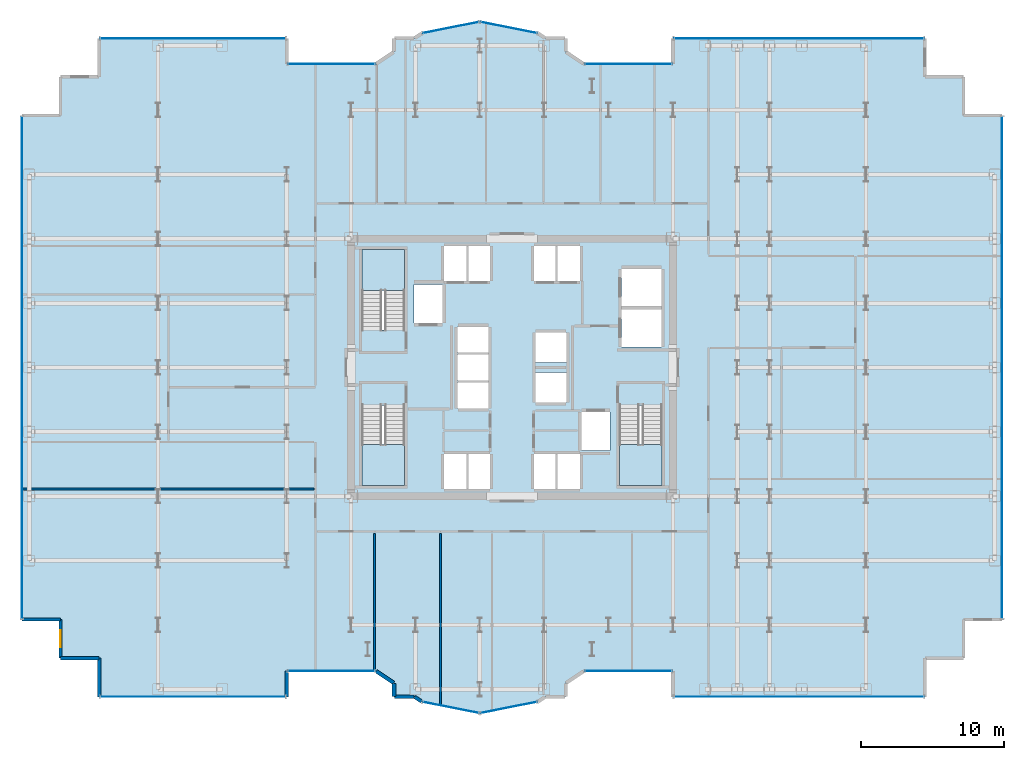
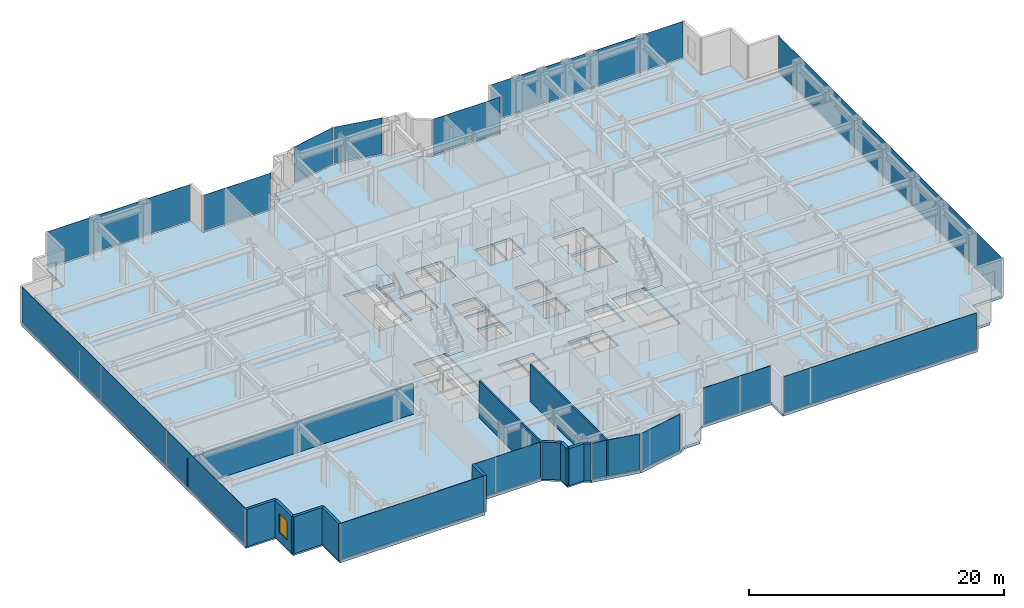
# One storey, part 19 of 26: 14 plates, 12 walls, 4 slabs, 1 window, 1 opening, 17 elements without a shape of their own.
"""IFC4 building model written with IfcOpenShell, lengths in metres."""

from ifc_helpers import new_model, si_unit, direction, frame, frame_2d, origin, origin_2d, place, context, subcontext, project, spatial, polyline, rectangle, outline, extrude, source, transform, mapped, material, layer, layer_set, type_object, element, fill, aggregate, save


model = new_model("IFC4")

# Units and contexts
model_context = context("Model", 3, precision=1e-05, world=origin(), true_north=direction((0.0, 1.0)))
body_context = subcontext(model_context, "Body", "Model", "MODEL_VIEW")
ifc_project = project(units=[si_unit("LENGTHUNIT", "METRE"), si_unit("AREAUNIT", "SQUARE_METRE"), si_unit("VOLUMEUNIT", "CUBIC_METRE"), si_unit("PLANEANGLEUNIT", "RADIAN"), si_unit("MASSUNIT", "GRAM", prefix="KILO")], contexts=[model_context])

# Site, building, storey
site_placement = place(None, origin())
site = spatial("IfcSite", under=ifc_project, at=site_placement, CompositionType="ELEMENT")
building_placement = place(site_placement, origin())
building = spatial("IfcBuilding", under=site, at=building_placement, Name="Nefas-Gora Pilgrimage Tower", CompositionType="ELEMENT")
storey_placement = place(building_placement, frame((0.0, 0.0, 121.199951171875)))
storey = spatial("IfcBuildingStorey", under=building, at=storey_placement, Name="L29", CompositionType="ELEMENT", Elevation=121.199951171875)

# Slab
ifc_material_1 = material(Name="Concrete C40/50", Category="concrete")
ifc_layer_1 = layer(ifc_material_1, 0.25)
ifc_layer_set_1 = layer_set([ifc_layer_1], Name="Concrete C40/50")
slab_type_1 = type_object("IfcSlabType", Name="SLB-TWR-250", PredefinedType="FLOOR", material=ifc_layer_set_1)
slab_1_placement = place(storey_placement, frame((0.0, 0.0, -0.25)))
element("IfcSlab", 1, at=slab_1_placement, inside=storey, type_object=slab_type_1, Name="L29 Structural Floor Slab", PredefinedType="FLOOR", context=body_context, shape_type="SweptSolid", body=[
    extrude(outline(polyline([(5.01806640625, -21.219970703125), (11.25, -21.219970703125), (11.25, -23.02001953125), (28.8701171875, -23.02001953125), (28.8701171875, -20.320068359375), (31.570068359375, -20.320068359375), (31.570068359375, -17.6201171875), (34.27001953125, -17.6201171875), (34.27001953125, 17.6201171875), (31.570068359375, 17.6201171875), (31.570068359375, 20.320068359375), (28.8701171875, 20.320068359375), (28.8701171875, 23.02001953125), (11.25, 23.02001953125), (11.25, 21.219970703125), (5.01806640625, 21.219970703125), (3.75, 22.0673828125), (3.75, 23.02001953125), (2.32421875, 23.02001953125), (1.807373046875, 23.365234375), (-2.25, 24.17236328125), (-6.307373046875, 23.365234375), (-6.82421875, 23.02001953125), (-8.25, 23.02001953125), (-8.25, 22.0673828125), (-9.51806640625, 21.219970703125), (-15.75, 21.219970703125), (-15.75, 23.02001953125), (-28.8701171875, 23.02001953125), (-28.8701171875, 20.320068359375), (-31.570068359375, 20.320068359375), (-31.570068359375, 17.6201171875), (-34.27001953125, 17.6201171875), (-34.27001953125, -17.6201171875), (-31.570068359375, -17.6201171875), (-31.570068359375, -20.320068359375), (-28.8701171875, -20.320068359375), (-28.8701171875, -23.02001953125), (-15.75, -23.02001953125), (-15.75, -21.219970703125), (-9.51806640625, -21.219970703125), (-8.25, -22.0673828125), (-8.25, -23.02001953125), (-6.82421875, -23.02001953125), (-6.307373046875, -23.365234375), (-2.25, -24.17236328125), (1.807373046875, -23.365234375), (2.32421875, -23.02001953125), (3.75, -23.02001953125), (3.75, -22.0673828125), (5.01806640625, -21.219970703125)]), holes=[polyline([(-10.5, 2.639892578125), (-10.5, 8.25), (-7.5, 8.25), (-7.5, 2.639892578125), (-10.5, 2.639892578125)]), polyline([(10.5, -2.639892578125), (10.5, -8.25), (7.5, -8.25), (7.5, -2.639892578125), (10.5, -2.639892578125)]), polyline([(-7.5, -2.639892578125), (-7.5, -8.25), (-10.5, -8.25), (-10.5, -2.639892578125), (-7.5, -2.639892578125)]), polyline([(-6.85009765625, 5.800048828125), (-4.85009765625, 5.800048828125), (-4.85009765625, 3.10009765625), (-6.85009765625, 3.10009765625), (-6.85009765625, 5.800048828125)]), polyline([(4.85009765625, -3.10009765625), (6.85009765625, -3.10009765625), (6.85009765625, -5.800048828125), (4.85009765625, -5.800048828125), (4.85009765625, -3.10009765625)]), polyline([(7.64990234375, 4.050048828125), (10.449951171875, 4.050048828125), (10.449951171875, 1.449951171875), (7.64990234375, 1.449951171875), (7.64990234375, 4.050048828125)]), polyline([(7.64990234375, 6.89990234375), (10.449951171875, 6.89990234375), (10.449951171875, 4.300048828125), (7.64990234375, 4.300048828125), (7.64990234375, 6.89990234375)]), polyline([(-4.75, 8.5), (-3.14990234375, 8.5), (-3.14990234375, 6.050048828125), (-4.75, 6.050048828125), (-4.75, 8.5)]), polyline([(-3.10009765625, 8.5), (-1.550048828125, 8.5), (-1.550048828125, 6.050048828125), (-3.10009765625, 6.050048828125), (-3.10009765625, 8.5)]), polyline([(1.550048828125, 8.5), (3.10009765625, 8.5), (3.10009765625, 6.050048828125), (1.550048828125, 6.050048828125), (1.550048828125, 8.5)]), polyline([(3.14990234375, 8.5), (4.75, 8.5), (4.75, 6.050048828125), (3.14990234375, 6.050048828125), (3.14990234375, 8.5)]), polyline([(-4.75, -6.050048828125), (-3.14990234375, -6.050048828125), (-3.14990234375, -8.5), (-4.75, -8.5), (-4.75, -6.050048828125)]), polyline([(-3.10009765625, -6.050048828125), (-1.550048828125, -6.050048828125), (-1.550048828125, -8.5), (-3.10009765625, -8.5), (-3.10009765625, -6.050048828125)]), polyline([(1.550048828125, -6.050048828125), (3.10009765625, -6.050048828125), (3.10009765625, -8.5), (1.550048828125, -8.5), (1.550048828125, -6.050048828125)]), polyline([(3.14990234375, -6.050048828125), (4.75, -6.050048828125), (4.75, -8.5), (3.14990234375, -8.5), (3.14990234375, -6.050048828125)]), polyline([(-3.800048828125, -1.050048828125), (-1.64990234375, -1.050048828125), (-1.64990234375, -2.85009765625), (-3.800048828125, -2.85009765625), (-3.800048828125, -1.050048828125)]), polyline([(-3.800048828125, 0.89990234375), (-1.64990234375, 0.89990234375), (-1.64990234375, -0.89990234375), (-3.800048828125, -0.89990234375), (-3.800048828125, 0.89990234375)]), polyline([(-3.800048828125, 2.85009765625), (-1.64990234375, 2.85009765625), (-1.64990234375, 1.050048828125), (-3.800048828125, 1.050048828125), (-3.800048828125, 2.85009765625)]), polyline([(1.64990234375, -0.35009765625), (3.800048828125, -0.35009765625), (3.800048828125, -2.449951171875), (1.64990234375, -2.449951171875), (1.64990234375, -0.35009765625)]), polyline([(1.64990234375, 2.449951171875), (3.800048828125, 2.449951171875), (3.800048828125, 0.35009765625), (1.64990234375, 0.35009765625), (1.64990234375, 2.449951171875)])]), origin(), (0.0, 0.0, 1.0), 0.25),
])

# Stair, slab
ifc_material_2 = material(Name="Concrete C45/55", Category="concrete")
stair_type = type_object("IfcStairType", Name="STR-1400-R1727", PredefinedType="HALF_TURN_STAIR", material=ifc_material_2)
stair_1_placement = place(storey_placement, origin())
stair_1 = element("IfcStair", 2, at=stair_1_placement, inside=storey, type_object=stair_type, Name="L29 Pressurised Tower Exit Stair ST-01", PredefinedType="HALF_TURN_STAIR")
ifc_layer_2 = layer(ifc_material_1, 0.199951171875)
ifc_layer_set_2 = layer_set([ifc_layer_2], Name="Concrete C40/50")
slab_type_2 = type_object("IfcSlabType", Name="STR-LAND-200", PredefinedType="LANDING", material=ifc_layer_set_2)
slab_2_placement = place(storey_placement, frame((0.0, 0.0, 1.699951171875)))
slab_2 = element("IfcSlab", 3, at=slab_2_placement, type_object=slab_type_2, Name="ST-01 landing 1", PredefinedType="LANDING", context=body_context, shape_type="SweptSolid", body=[
    extrude(outline(polyline([(-7.5, 5.39990234375), (-7.5, 8.25), (-10.5, 8.25), (-10.5, 5.39990234375), (-7.5, 5.39990234375)])), origin(), (0.0, 0.0, 1.0), 0.2001953125),
])
aggregate(stair_1, [slab_2])

stair_2_placement = place(storey_placement, origin())
stair_2 = element("IfcStair", 4, at=stair_2_placement, inside=storey, type_object=stair_type, Name="L29 Pressurised Tower Exit Stair ST-02", PredefinedType="HALF_TURN_STAIR")
slab_3_placement = place(storey_placement, frame((0.0, 0.0, 1.699951171875)))
slab_3 = element("IfcSlab", 5, at=slab_3_placement, type_object=slab_type_2, Name="ST-02 landing 1", PredefinedType="LANDING", context=body_context, shape_type="SweptSolid", body=[
    extrude(outline(polyline([(7.5, -5.39990234375), (7.5, -8.25), (10.5, -8.25), (10.5, -5.39990234375), (7.5, -5.39990234375)])), origin(), (0.0, 0.0, 1.0), 0.2001953125),
])
aggregate(stair_2, [slab_3])

stair_3_placement = place(storey_placement, origin())
stair_3 = element("IfcStair", 6, at=stair_3_placement, inside=storey, type_object=stair_type, Name="L29 Pressurised Tower Exit Stair ST-03", PredefinedType="HALF_TURN_STAIR")
slab_4_placement = place(storey_placement, frame((0.0, 0.0, 1.699951171875)))
slab_4 = element("IfcSlab", 7, at=slab_4_placement, type_object=slab_type_2, Name="ST-03 landing 1", PredefinedType="LANDING", context=body_context, shape_type="SweptSolid", body=[
    extrude(outline(polyline([(-10.5, -5.39990234375), (-10.5, -8.25), (-7.5, -8.25), (-7.5, -5.39990234375), (-10.5, -5.39990234375)])), origin(), (0.0, 0.0, 1.0), 0.2001953125),
])
aggregate(stair_3, [slab_4])

# Curtain wall, plate
ifc_material_3 = material(Name="Dark ceramic-fritted solar-control aluminium-glass curtain wall", Category="aluminium")
ifc_layer_3 = layer(ifc_material_3, 0.219970703125)
ifc_layer_set_3 = layer_set([ifc_layer_3], Name="Dark ceramic-fritted solar-control aluminium-glass curtain wall")
curtain_wall_type_1 = type_object("IfcCurtainWallType", Name="CW-SYS-5", PredefinedType="NOTDEFINED", material=ifc_layer_set_3)
curtain_wall_1_placement = place(storey_placement, origin())
curtain_wall_1 = element("IfcCurtainWall", 8, at=curtain_wall_1_placement, inside=storey, type_object=curtain_wall_type_1, Name="L29 Unitised Curtain Wall CW5", PredefinedType="NOTDEFINED")
ifc_material_4 = material(Name="Dark ceramic-printed low-e insulated glass", Category="glass")
ifc_layer_4 = layer(ifc_material_4, 0.028076171875)
ifc_layer_set_4 = layer_set([ifc_layer_4], Name="Dark ceramic-printed low-e insulated glass")
plate_type_1 = type_object("IfcPlateType", Name="CWP-PNL-5", PredefinedType="CURTAIN_PANEL", material=ifc_layer_set_4)
shared_shape_1 = source(origin(), body_context, "Body", "SweptSolid", [
    extrude(rectangle(XDim=6.052001953125, YDim=0.028076171875, at=origin_2d()), origin(), (0.0, 0.0, 1.0), 3.43994140625),
])
plate_1_placement = place(storey_placement, frame((8.134033203125, -21.219970703125, 0.10009765625), z_axis=(0.0, 0.0, 1.0), x_axis=(1.0, 0.0, 0.0)))
plate_1 = element("IfcPlate", 9, at=plate_1_placement, type_object=plate_type_1, Name="CW5 Ceramic-Fritted Glazing Panel 1", PredefinedType="CURTAIN_PANEL", context=body_context, shape_type="MappedRepresentation", body=[
    mapped(shared_shape_1, transform((0.0, 0.0, 0.0), x_axis=(1.0, 0.0, 0.0), y_axis=(0.0, 1.0, 0.0), z_axis=(0.0, 0.0, 1.0), scale=1.0)),
])
aggregate(curtain_wall_1, [plate_1])

curtain_wall_2_placement = place(storey_placement, origin())
curtain_wall_2 = element("IfcCurtainWall", 10, at=curtain_wall_2_placement, inside=storey, type_object=curtain_wall_type_1, Name="L29 Unitised Curtain Wall CW5", PredefinedType="NOTDEFINED")
plate_2_placement = place(storey_placement, frame((8.134033203125, 21.219970703125, 0.10009765625), z_axis=(0.0, 0.0, 1.0), x_axis=(-1.0, 0.0, 0.0)))
plate_2 = element("IfcPlate", 11, at=plate_2_placement, type_object=plate_type_1, Name="CW5 Ceramic-Fritted Glazing Panel 1", PredefinedType="CURTAIN_PANEL", context=body_context, shape_type="MappedRepresentation", body=[
    mapped(shared_shape_1, transform((0.0, 0.0, 0.0), x_axis=(1.0, 0.0, 0.0), y_axis=(0.0, 1.0, 0.0), z_axis=(0.0, 0.0, 1.0), scale=1.0)),
])
aggregate(curtain_wall_2, [plate_2])

curtain_wall_3_placement = place(storey_placement, origin())
curtain_wall_3 = element("IfcCurtainWall", 12, at=curtain_wall_3_placement, inside=storey, type_object=curtain_wall_type_1, Name="L29 Unitised Curtain Wall CW5", PredefinedType="NOTDEFINED")
plate_3_placement = place(storey_placement, frame((-12.634033203125, 21.219970703125, 0.10009765625), z_axis=(0.0, 0.0, 1.0), x_axis=(-1.0, 0.0, 0.0)))
plate_3 = element("IfcPlate", 13, at=plate_3_placement, type_object=plate_type_1, Name="CW5 Ceramic-Fritted Glazing Panel 1", PredefinedType="CURTAIN_PANEL", context=body_context, shape_type="MappedRepresentation", body=[
    mapped(shared_shape_1, transform((0.0, 0.0, 0.0), x_axis=(1.0, 0.0, 0.0), y_axis=(0.0, 1.0, 0.0), z_axis=(0.0, 0.0, 1.0), scale=1.0)),
])
aggregate(curtain_wall_3, [plate_3])

curtain_wall_4_placement = place(storey_placement, origin())
curtain_wall_4 = element("IfcCurtainWall", 14, at=curtain_wall_4_placement, inside=storey, type_object=curtain_wall_type_1, Name="L29 Unitised Curtain Wall CW5", PredefinedType="NOTDEFINED")
plate_4_placement = place(storey_placement, frame((-12.634033203125, -21.219970703125, 0.10009765625), z_axis=(0.0, 0.0, 1.0), x_axis=(1.0, 0.0, 0.0)))
plate_4 = element("IfcPlate", 15, at=plate_4_placement, type_object=plate_type_1, Name="CW5 Ceramic-Fritted Glazing Panel 1", PredefinedType="CURTAIN_PANEL", context=body_context, shape_type="MappedRepresentation", body=[
    mapped(shared_shape_1, transform((0.0, 0.0, 0.0), x_axis=(1.0, 0.0, 0.0), y_axis=(0.0, 1.0, 0.0), z_axis=(0.0, 0.0, 1.0), scale=1.0)),
])
aggregate(curtain_wall_4, [plate_4])

ifc_layer_5 = layer(ifc_material_3, 0.219970703125)
ifc_layer_set_5 = layer_set([ifc_layer_5], Name="Dark ceramic-fritted solar-control aluminium-glass curtain wall")
curtain_wall_type_2 = type_object("IfcCurtainWallType", Name="CW-SYS-2", PredefinedType="NOTDEFINED", material=ifc_layer_set_5)
curtain_wall_5_placement = place(storey_placement, origin())
curtain_wall_5 = element("IfcCurtainWall", 16, at=curtain_wall_5_placement, inside=storey, type_object=curtain_wall_type_2, Name="L29 Unitised Curtain Wall CW2", PredefinedType="NOTDEFINED")
ifc_layer_6 = layer(ifc_material_4, 0.031982421875)
ifc_layer_set_6 = layer_set([ifc_layer_6], Name="Dark ceramic-printed low-e insulated glass")
plate_type_2 = type_object("IfcPlateType", Name="CWP-PNL-2", PredefinedType="CURTAIN_PANEL", material=ifc_layer_set_6)
shared_shape_2 = source(origin(), body_context, "Body", "SweptSolid", [
    extrude(rectangle(XDim=17.43994140625, YDim=0.031982421875, at=origin_2d()), origin(), (0.0, 0.0, 1.0), 3.43994140625),
])
plate_5_placement = place(storey_placement, frame((20.06005859375, -23.02001953125, 0.10009765625), z_axis=(0.0, 0.0, 1.0), x_axis=(1.0, 0.0, 0.0)))
plate_5 = element("IfcPlate", 17, at=plate_5_placement, type_object=plate_type_2, Name="CW2 Ceramic-Fritted Glazing Panel 1", PredefinedType="CURTAIN_PANEL", context=body_context, shape_type="MappedRepresentation", body=[
    mapped(shared_shape_2, transform((0.0, 0.0, 0.0), x_axis=(1.0, 0.0, 0.0), y_axis=(0.0, 1.0, 0.0), z_axis=(0.0, 0.0, 1.0), scale=1.0)),
])
aggregate(curtain_wall_5, [plate_5])

curtain_wall_6_placement = place(storey_placement, origin())
curtain_wall_6 = element("IfcCurtainWall", 18, at=curtain_wall_6_placement, inside=storey, type_object=curtain_wall_type_2, Name="L29 Unitised Curtain Wall CW2", PredefinedType="NOTDEFINED")
plate_6_placement = place(storey_placement, frame((20.06005859375, 23.02001953125, 0.10009765625), z_axis=(0.0, 0.0, 1.0), x_axis=(-1.0, 0.0, 0.0)))
plate_6 = element("IfcPlate", 19, at=plate_6_placement, type_object=plate_type_2, Name="CW2 Ceramic-Fritted Glazing Panel 1", PredefinedType="CURTAIN_PANEL", context=body_context, shape_type="MappedRepresentation", body=[
    mapped(shared_shape_2, transform((0.0, 0.0, 0.0), x_axis=(1.0, 0.0, 0.0), y_axis=(0.0, 1.0, 0.0), z_axis=(0.0, 0.0, 1.0), scale=1.0)),
])
aggregate(curtain_wall_6, [plate_6])

curtain_wall_7_placement = place(storey_placement, origin())
curtain_wall_7 = element("IfcCurtainWall", 20, at=curtain_wall_7_placement, inside=storey, type_object=curtain_wall_type_1, Name="L29 Unitised Curtain Wall CW5", PredefinedType="NOTDEFINED")
shared_shape_3 = source(origin(), body_context, "Body", "SweptSolid", [
    extrude(rectangle(XDim=3.956787109375, YDim=0.028076171875, at=origin_2d()), origin(), (0.0, 0.0, 1.0), 3.43994140625),
])
plate_7_placement = place(storey_placement, frame((-0.22119140625, 23.768798828125, 0.10009765625), z_axis=(0.0, 0.0, 1.0), x_axis=(-0.980782896852, 0.195102304554, 0.0)))
plate_7 = element("IfcPlate", 21, at=plate_7_placement, type_object=plate_type_1, Name="CW5 Ceramic-Fritted Glazing Panel 1", PredefinedType="CURTAIN_PANEL", context=body_context, shape_type="MappedRepresentation", body=[
    mapped(shared_shape_3, transform((0.0, 0.0, 0.0), x_axis=(1.0, 0.0, 0.0), y_axis=(0.0, 1.0, 0.0), z_axis=(0.0, 0.0, 1.0), scale=1.0)),
])
aggregate(curtain_wall_7, [plate_7])

curtain_wall_8_placement = place(storey_placement, origin())
curtain_wall_8 = element("IfcCurtainWall", 22, at=curtain_wall_8_placement, inside=storey, type_object=curtain_wall_type_1, Name="L29 Unitised Curtain Wall CW5", PredefinedType="NOTDEFINED")
plate_8_placement = place(storey_placement, frame((-4.278564453125, 23.768798828125, 0.10009765625), z_axis=(0.0, 0.0, 1.0), x_axis=(-0.980782896852, -0.195102304554, 0.0)))
plate_8 = element("IfcPlate", 23, at=plate_8_placement, type_object=plate_type_1, Name="CW5 Ceramic-Fritted Glazing Panel 1", PredefinedType="CURTAIN_PANEL", context=body_context, shape_type="MappedRepresentation", body=[
    mapped(shared_shape_3, transform((0.0, 0.0, 0.0), x_axis=(1.0, 0.0, 0.0), y_axis=(0.0, 1.0, 0.0), z_axis=(0.0, 0.0, 1.0), scale=1.0)),
])
aggregate(curtain_wall_8, [plate_8])

curtain_wall_9_placement = place(storey_placement, origin())
curtain_wall_9 = element("IfcCurtainWall", 24, at=curtain_wall_9_placement, inside=storey, type_object=curtain_wall_type_1, Name="L29 Unitised Curtain Wall CW5", PredefinedType="NOTDEFINED")
plate_9_placement = place(storey_placement, frame((-4.278564453125, -23.768798828125, 0.10009765625), z_axis=(0.0, 0.0, 1.0), x_axis=(0.980782896852, -0.195102304554, 0.0)))
plate_9 = element("IfcPlate", 25, at=plate_9_placement, type_object=plate_type_1, Name="CW5 Ceramic-Fritted Glazing Panel 1", PredefinedType="CURTAIN_PANEL", context=body_context, shape_type="MappedRepresentation", body=[
    mapped(shared_shape_3, transform((0.0, 0.0, 0.0), x_axis=(1.0, 0.0, 0.0), y_axis=(0.0, 1.0, 0.0), z_axis=(0.0, 0.0, 1.0), scale=1.0)),
])
aggregate(curtain_wall_9, [plate_9])

curtain_wall_10_placement = place(storey_placement, origin())
curtain_wall_10 = element("IfcCurtainWall", 26, at=curtain_wall_10_placement, inside=storey, type_object=curtain_wall_type_1, Name="L29 Unitised Curtain Wall CW5", PredefinedType="NOTDEFINED")
plate_10_placement = place(storey_placement, frame((-0.221435546875, -23.768798828125, 0.10009765625), z_axis=(0.0, 0.0, 1.0), x_axis=(0.980782896852, 0.195102304554, 0.0)))
plate_10 = element("IfcPlate", 27, at=plate_10_placement, type_object=plate_type_1, Name="CW5 Ceramic-Fritted Glazing Panel 1", PredefinedType="CURTAIN_PANEL", context=body_context, shape_type="MappedRepresentation", body=[
    mapped(shared_shape_3, transform((0.0, 0.0, 0.0), x_axis=(1.0, 0.0, 0.0), y_axis=(0.0, 1.0, 0.0), z_axis=(0.0, 0.0, 1.0), scale=1.0)),
])
aggregate(curtain_wall_10, [plate_10])

curtain_wall_11_placement = place(storey_placement, origin())
curtain_wall_11 = element("IfcCurtainWall", 28, at=curtain_wall_11_placement, inside=storey, type_object=curtain_wall_type_2, Name="L29 Unitised Curtain Wall CW2", PredefinedType="NOTDEFINED")
shared_shape_4 = source(origin(), body_context, "Body", "SweptSolid", [
    extrude(rectangle(XDim=12.93994140625, YDim=0.031982421875, at=origin_2d()), origin(), (0.0, 0.0, 1.0), 3.43994140625),
])
plate_11_placement = place(storey_placement, frame((-22.31005859375, 23.02001953125, 0.10009765625), z_axis=(0.0, 0.0, 1.0), x_axis=(-1.0, 0.0, 0.0)))
plate_11 = element("IfcPlate", 29, at=plate_11_placement, type_object=plate_type_2, Name="CW2 Ceramic-Fritted Glazing Panel 1", PredefinedType="CURTAIN_PANEL", context=body_context, shape_type="MappedRepresentation", body=[
    mapped(shared_shape_4, transform((0.0, 0.0, 0.0), x_axis=(1.0, 0.0, 0.0), y_axis=(0.0, 1.0, 0.0), z_axis=(0.0, 0.0, 1.0), scale=1.0)),
])
aggregate(curtain_wall_11, [plate_11])

curtain_wall_12_placement = place(storey_placement, origin())
curtain_wall_12 = element("IfcCurtainWall", 30, at=curtain_wall_12_placement, inside=storey, type_object=curtain_wall_type_2, Name="L29 Unitised Curtain Wall CW2", PredefinedType="NOTDEFINED")
plate_12_placement = place(storey_placement, frame((-22.31005859375, -23.02001953125, 0.10009765625), z_axis=(0.0, 0.0, 1.0), x_axis=(1.0, 0.0, 0.0)))
plate_12 = element("IfcPlate", 31, at=plate_12_placement, type_object=plate_type_2, Name="CW2 Ceramic-Fritted Glazing Panel 1", PredefinedType="CURTAIN_PANEL", context=body_context, shape_type="MappedRepresentation", body=[
    mapped(shared_shape_4, transform((0.0, 0.0, 0.0), x_axis=(1.0, 0.0, 0.0), y_axis=(0.0, 1.0, 0.0), z_axis=(0.0, 0.0, 1.0), scale=1.0)),
])
aggregate(curtain_wall_12, [plate_12])

curtain_wall_13_placement = place(storey_placement, origin())
curtain_wall_13 = element("IfcCurtainWall", 32, at=curtain_wall_13_placement, inside=storey, type_object=curtain_wall_type_2, Name="L29 Unitised Curtain Wall CW2", PredefinedType="NOTDEFINED")
shared_shape_5 = source(origin(), body_context, "Body", "SweptSolid", [
    extrude(rectangle(XDim=35.06005859375, YDim=0.031982421875, at=origin_2d()), origin(), (0.0, 0.0, 1.0), 3.43994140625),
])
plate_13_placement = place(storey_placement, frame((34.27001953125, 0.0, 0.10009765625), z_axis=(0.0, 0.0, 1.0), x_axis=(0.0, 1.0, 0.0)))
plate_13 = element("IfcPlate", 33, at=plate_13_placement, type_object=plate_type_2, Name="CW2 Ceramic-Fritted Glazing Panel 1", PredefinedType="CURTAIN_PANEL", context=body_context, shape_type="MappedRepresentation", body=[
    mapped(shared_shape_5, transform((0.0, 0.0, 0.0), x_axis=(1.0, 0.0, 0.0), y_axis=(0.0, 1.0, 0.0), z_axis=(0.0, 0.0, 1.0), scale=1.0)),
])
aggregate(curtain_wall_13, [plate_13])

curtain_wall_14_placement = place(storey_placement, origin())
curtain_wall_14 = element("IfcCurtainWall", 34, at=curtain_wall_14_placement, inside=storey, type_object=curtain_wall_type_2, Name="L29 Unitised Curtain Wall CW2", PredefinedType="NOTDEFINED")
plate_14_placement = place(storey_placement, frame((-34.27001953125, 0.0, 0.10009765625), z_axis=(0.0, 0.0, 1.0), x_axis=(0.0, -1.0, 0.0)))
plate_14 = element("IfcPlate", 35, at=plate_14_placement, type_object=plate_type_2, Name="CW2 Ceramic-Fritted Glazing Panel 1", PredefinedType="CURTAIN_PANEL", context=body_context, shape_type="MappedRepresentation", body=[
    mapped(shared_shape_5, transform((0.0, 0.0, 0.0), x_axis=(1.0, 0.0, 0.0), y_axis=(0.0, 1.0, 0.0), z_axis=(0.0, 0.0, 1.0), scale=1.0)),
])
aggregate(curtain_wall_14, [plate_14])

# Walls
ifc_material_5 = material(Name="Precast concrete C40/50", Category="concrete")
ifc_layer_7 = layer(ifc_material_5, 0.260009765625)
ifc_layer_set_7 = layer_set([ifc_layer_7], Name="Precast concrete C40/50")
wall_type_1 = type_object("IfcWallType", Name="EW-PORTAL-260", PredefinedType="SOLIDWALL", material=ifc_layer_set_7)
shared_shape_6 = source(origin(), body_context, "Body", "SweptSolid", [
    extrude(rectangle(XDim=1.800048828125, YDim=0.260009765625, at=frame_2d((0.89990234375, 0.0))), origin(), (0.0, 0.0, 1.0), 3.550048828125),
])
wall_1_placement = place(storey_placement, frame((-15.75, -23.02001953125, 0.0), z_axis=(0.0, 0.0, 1.0), x_axis=(0.0, 1.0, 0.0)))
element("IfcWall", 36, at=wall_1_placement, inside=storey, type_object=wall_type_1, Name="L29 Lobe Shoulder Precast Spandrel Pier 28", PredefinedType="SOLIDWALL", context=body_context, shape_type="MappedRepresentation", body=[
    mapped(shared_shape_6, transform((0.0, 0.0, 0.0), x_axis=(1.0, 0.0, 0.0), y_axis=(0.0, 1.0, 0.0), z_axis=(0.0, 0.0, 1.0), scale=1.0)),
])
ifc_material_6 = material(Name="Precast concrete C45/55", Category="concrete")
ifc_layer_8 = layer(ifc_material_6, 0.239990234375)
ifc_layer_set_8 = layer_set([ifc_layer_8], Name="Precast concrete C45/55")
wall_type_2 = type_object("IfcWallType", Name="EW-SERR-240", PredefinedType="SHEAR", material=ifc_layer_set_8)
shared_shape_7 = source(origin(), body_context, "Body", "SweptSolid", [
    extrude(rectangle(XDim=2.699951171875, YDim=0.239990234375, at=frame_2d((1.35009765625, 0.0))), origin(), (0.0, 0.0, 1.0), 3.550048828125),
])
wall_2_placement = place(storey_placement, frame((-34.27001953125, -17.6201171875, 0.0), z_axis=(0.0, 0.0, 1.0), x_axis=(1.0, 0.0, 0.0)))
element("IfcWall", 37, at=wall_2_placement, inside=storey, type_object=wall_type_2, Name="L29 Serrated Corner Shear Pier Wall 24", PredefinedType="SHEAR", context=body_context, shape_type="MappedRepresentation", body=[
    mapped(shared_shape_7, transform((0.0, 0.0, 0.0), x_axis=(1.0, 0.0, 0.0), y_axis=(0.0, 1.0, 0.0), z_axis=(0.0, 0.0, 1.0), scale=1.0)),
])

# Wall, opening, window
wall_3_placement = place(storey_placement, frame((-31.570068359375, -17.6201171875, 0.0), z_axis=(0.0, 0.0, 1.0), x_axis=(0.0, -1.0, 0.0)))
wall_3 = element("IfcWall", 38, at=wall_3_placement, inside=storey, type_object=wall_type_2, Name="L29 Serrated Corner Shear Pier Wall 25", PredefinedType="SHEAR", context=body_context, shape_type="MappedRepresentation", body=[
    mapped(shared_shape_7, transform((0.0, 0.0, 0.0), x_axis=(1.0, 0.0, 0.0), y_axis=(0.0, 1.0, 0.0), z_axis=(0.0, 0.0, 1.0), scale=1.0)),
])
opening_placement = place(wall_3_placement, frame((0.75, 0.0, 0.85009765625)))
opening = element("IfcOpeningElement", 39, at=opening_placement, cuts=wall_3, Name="Opening W-V1", PredefinedType="OPENING", context=body_context, shape_type="SweptSolid", body=[
    extrude(rectangle(XDim=1.199951171875, YDim=1.800048828125, at=frame_2d((0.60009765625, 0.89990234375))), frame((0.0, 0.1298828125, 0.0), z_axis=(0.0, -1.0, 0.0), x_axis=(1.0, 0.0, 0.0)), (0.0, 0.0, 1.0), 0.260009765625),
])
ifc_material_7 = material(Name="Dark ceramic-fritted operable aluminium-glass window", Category="aluminium")
window_type = type_object("IfcWindowType", Name="WIN-VENT-1200x1800", PartitioningType="SINGLE_PANEL", PredefinedType="WINDOW", material=ifc_material_7)
shared_shape_8 = source(origin(), body_context, "Body", "SweptSolid", [
    extrude(rectangle(XDim=1.199951171875, YDim=1.800048828125, at=frame_2d((0.60009765625, 0.89990234375))), frame((0.0, 0.030029296875, 0.0), z_axis=(0.0, -1.0, 0.0), x_axis=(1.0, 0.0, 0.0)), (0.0, 0.0, 1.0), 0.06005859375),
])
window_placement = place(opening_placement, origin())
window = element("IfcWindow", 40, at=window_placement, inside=storey, type_object=window_type, Name="L29 Operable Parallel-Outswing Window 25", OverallHeight=1.800048828125, OverallWidth=1.199951171875, PartitioningType="SINGLE_PANEL", PredefinedType="WINDOW", context=body_context, shape_type="MappedRepresentation", body=[
    mapped(shared_shape_8, transform((0.0, 0.0, 0.0), x_axis=(1.0, 0.0, 0.0), y_axis=(0.0, 1.0, 0.0), z_axis=(0.0, 0.0, 1.0), scale=1.0)),
])
fill(opening, window)

# Walls
for number, where, z_axis, x_axis, name in (
    (41, (-31.570068359375, -20.320068359375, 0.0), (0.0, 0.0, 1.0), (1.0, 0.0, 0.0), "L29 Serrated Corner Shear Pier Wall 26"),
    (42, (-28.8701171875, -20.320068359375, 0.0), (0.0, 0.0, 1.0), (0.0, -1.0, 0.0), "L29 Serrated Corner Shear Pier Wall 27"),
):
    element("IfcWall", number, at=place(storey_placement, frame(where, z_axis=z_axis, x_axis=x_axis)), inside=storey, type_object=wall_type_2, Name=name, PredefinedType="SHEAR", context=body_context, shape_type="MappedRepresentation", body=[
        mapped(shared_shape_7, transform((0.0, 0.0, 0.0), x_axis=(1.0, 0.0, 0.0), y_axis=(0.0, 1.0, 0.0), z_axis=(0.0, 0.0, 1.0), scale=1.0)),
    ])
shared_shape_9 = source(origin(), body_context, "Body", "SweptSolid", [
    extrude(rectangle(XDim=1.468994140625, YDim=0.260009765625, at=frame_2d((0.734375, 0.0))), origin(), (0.0, 0.0, 1.0), 3.550048828125),
])
wall_4_placement = place(storey_placement, frame((-9.49462890625, -21.235595703125, 0.0), z_axis=(0.0, 0.0, 1.0), x_axis=(0.831461760506, -0.555581983884, 0.0)))
element("IfcWall", 43, at=wall_4_placement, inside=storey, type_object=wall_type_1, Name="L29 Lobe Shoulder Precast Spandrel Pier 29", PredefinedType="SOLIDWALL", context=body_context, shape_type="MappedRepresentation", body=[
    mapped(shared_shape_9, transform((0.0, 0.0, 0.0), x_axis=(1.0, 0.0, 0.0), y_axis=(0.0, 1.0, 0.0), z_axis=(0.0, 0.0, 1.0), scale=1.0)),
])
shared_shape_10 = source(origin(), body_context, "Body", "SweptSolid", [
    extrude(rectangle(XDim=0.896728515625, YDim=0.260009765625, at=frame_2d((0.4482421875, 0.0))), origin(), (0.0, 0.0, 1.0), 3.550048828125),
])
wall_5_placement = place(storey_placement, frame((-8.25, -22.09521484375, 0.0), z_axis=(0.0, 0.0, 1.0), x_axis=(0.0, -1.0, 0.0)))
element("IfcWall", 44, at=wall_5_placement, inside=storey, type_object=wall_type_1, Name="L29 Lobe Shoulder Precast Spandrel Pier 30", PredefinedType="SOLIDWALL", context=body_context, shape_type="MappedRepresentation", body=[
    mapped(shared_shape_10, transform((0.0, 0.0, 0.0), x_axis=(1.0, 0.0, 0.0), y_axis=(0.0, 1.0, 0.0), z_axis=(0.0, 0.0, 1.0), scale=1.0)),
])
shared_shape_11 = source(origin(), body_context, "Body", "SweptSolid", [
    extrude(rectangle(XDim=1.369873046875, YDim=0.260009765625, at=frame_2d((0.68505859375, 0.0))), origin(), (0.0, 0.0, 1.0), 3.550048828125),
])
wall_6_placement = place(storey_placement, frame((-8.221923828125, -23.02001953125, 0.0), z_axis=(0.0, 0.0, 1.0), x_axis=(1.0, 0.0, 0.0)))
element("IfcWall", 45, at=wall_6_placement, inside=storey, type_object=wall_type_1, Name="L29 Lobe Shoulder Precast Spandrel Pier 31", PredefinedType="SOLIDWALL", context=body_context, shape_type="MappedRepresentation", body=[
    mapped(shared_shape_11, transform((0.0, 0.0, 0.0), x_axis=(1.0, 0.0, 0.0), y_axis=(0.0, 1.0, 0.0), z_axis=(0.0, 0.0, 1.0), scale=1.0)),
])
shared_shape_12 = source(origin(), body_context, "Body", "SweptSolid", [
    extrude(rectangle(XDim=0.5654296875, YDim=0.260009765625, at=frame_2d((0.28271484375, 0.0))), origin(), (0.0, 0.0, 1.0), 3.550048828125),
])
wall_7_placement = place(storey_placement, frame((-6.80078125, -23.03564453125, 0.0), z_axis=(0.0, 0.0, 1.0), x_axis=(0.831651492666, -0.555297933317, 0.0)))
element("IfcWall", 46, at=wall_7_placement, inside=storey, type_object=wall_type_1, Name="L29 Lobe Shoulder Precast Spandrel Pier 32", PredefinedType="SOLIDWALL", context=body_context, shape_type="MappedRepresentation", body=[
    mapped(shared_shape_12, transform((0.0, 0.0, 0.0), x_axis=(1.0, 0.0, 0.0), y_axis=(0.0, 1.0, 0.0), z_axis=(0.0, 0.0, 1.0), scale=1.0)),
])
ifc_material_8 = material(Name="Gypsum twin-stud partition")
ifc_layer_9 = layer(ifc_material_8, 0.139892578125)
ifc_layer_set_9 = layer_set([ifc_layer_9], Name="Gypsum twin-stud partition")
wall_type_3 = type_object("IfcWallType", Name="IW-UNIT-140", PredefinedType="PARTITIONING", material=ifc_layer_set_9)
shared_shape_13 = source(origin(), body_context, "Body", "SweptSolid", [
    extrude(rectangle(XDim=9.64990234375, YDim=0.139892578125, at=frame_2d((4.824951171875, 0.0))), origin(), (0.0, 0.0, 1.0), 3.53515625),
])
wall_8_placement = place(storey_placement, frame((-9.60498046875, -21.239990234375, 0.0), z_axis=(0.0, 0.0, 1.0), x_axis=(0.0, 1.0, 0.0)))
element("IfcWall", 47, at=wall_8_placement, inside=storey, type_object=wall_type_3, Name="L29 Pilgrim Contemplative Lounge Partition Wall 60", PredefinedType="PARTITIONING", context=body_context, shape_type="MappedRepresentation", body=[
    mapped(shared_shape_13, transform((0.0, 0.0, 0.0), x_axis=(1.0, 0.0, 0.0), y_axis=(0.0, 1.0, 0.0), z_axis=(0.0, 0.0, 1.0), scale=1.0)),
])
shared_shape_14 = source(origin(), body_context, "Body", "SweptSolid", [
    extrude(rectangle(XDim=20.429931640625, YDim=0.139892578125, at=frame_2d((10.21484375, 0.0))), origin(), (0.0, 0.0, 1.0), 2.875),
])
wall_9_placement = place(storey_placement, frame((-34.2900390625, -8.5048828125, 0.0), z_axis=(0.0, 0.0, 1.0), x_axis=(1.0, 0.0, 0.0)))
element("IfcWall", 48, at=wall_9_placement, inside=storey, type_object=wall_type_3, Name="L29 Pilgrim Devotional Prayer Gallery Partition Wall 29", PredefinedType="PARTITIONING", context=body_context, shape_type="MappedRepresentation", body=[
    mapped(shared_shape_14, transform((0.0, 0.0, 0.0), x_axis=(1.0, 0.0, 0.0), y_axis=(0.0, 1.0, 0.0), z_axis=(0.0, 0.0, 1.0), scale=1.0)),
])
shared_shape_15 = source(origin(), body_context, "Body", "SweptSolid", [
    extrude(rectangle(XDim=12.056640625, YDim=0.139892578125, at=frame_2d((6.0283203125, 0.0))), origin(), (0.0, 0.0, 1.0), 3.53515625),
])
wall_10_placement = place(storey_placement, frame((-5.0048828125, -23.646728515625, 0.0), z_axis=(0.0, 0.0, 1.0), x_axis=(0.0, 1.0, 0.0)))
element("IfcWall", 49, at=wall_10_placement, inside=storey, type_object=wall_type_3, Name="L29 Pilgrim Contemplative Lounge Partition Wall 62", PredefinedType="PARTITIONING", context=body_context, shape_type="MappedRepresentation", body=[
    mapped(shared_shape_15, transform((0.0, 0.0, 0.0), x_axis=(1.0, 0.0, 0.0), y_axis=(0.0, 1.0, 0.0), z_axis=(0.0, 0.0, 1.0), scale=1.0)),
])

save(model, "model.ifc")
